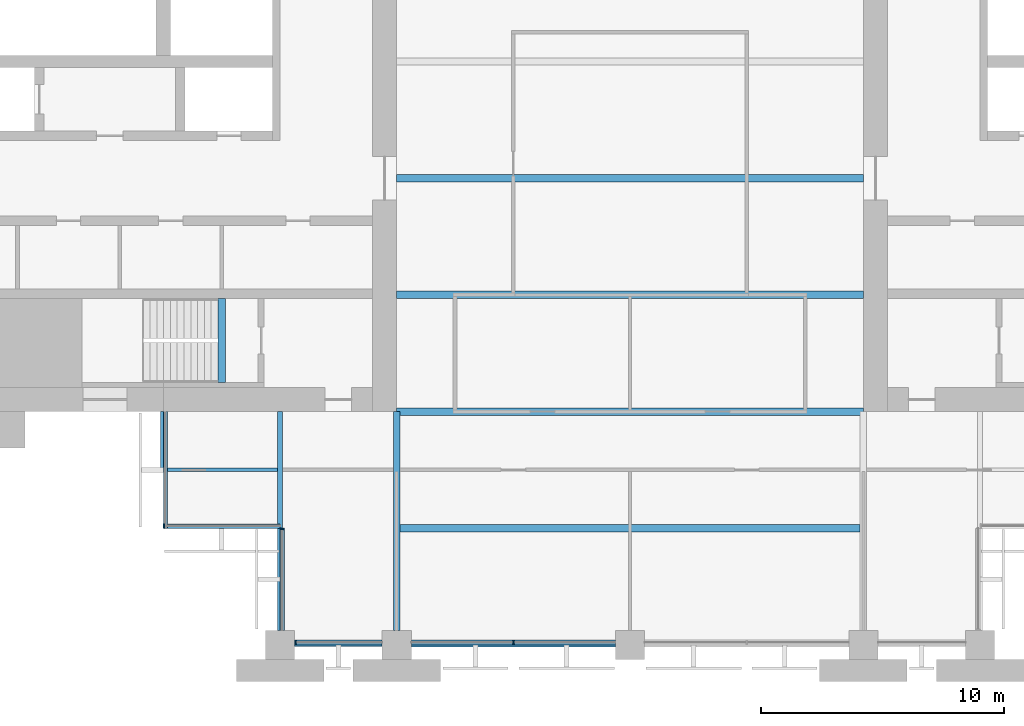
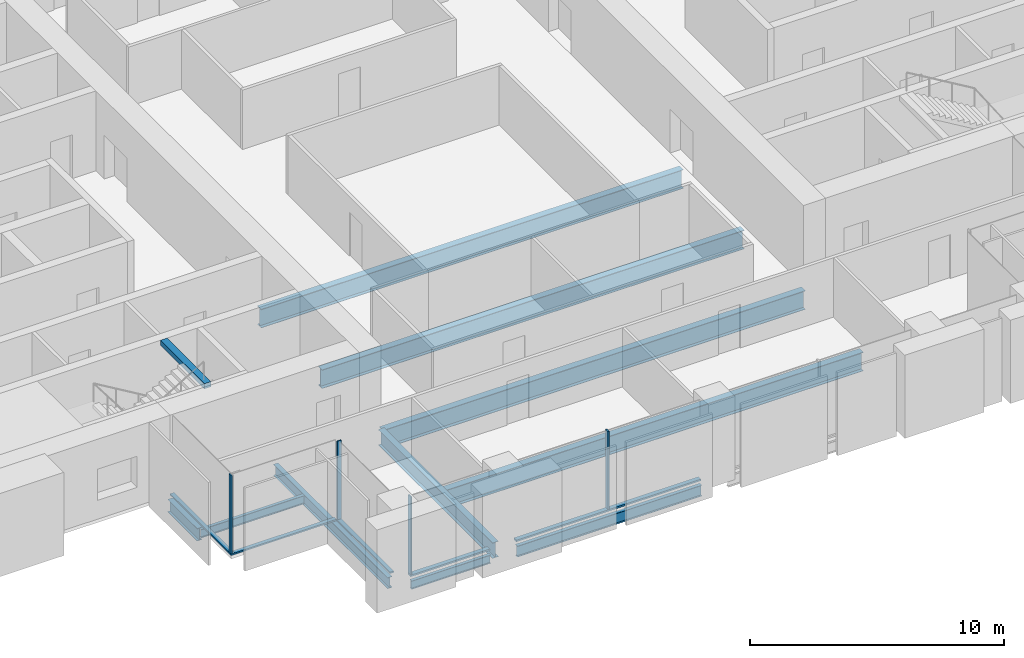
# One storey, part 2 of 14: 11 beams, 9 members, 4 elements without a shape of their own.
"""IFC4 building model written with IfcOpenShell, lengths in metres."""

from ifc_helpers import new_model, si_unit, direction, frame, origin, origin_2d, place, context, subcontext, project, spatial, rectangle, i_section, extrude, material, material_profile, profile_set, type_object, element, aggregate, save


model = new_model("IFC4")

# Units and contexts
model_context = context("Model", 3, precision=1e-05, world=origin(), true_north=direction((0.0, 1.0)))
body_context = subcontext(model_context, "Body", "Model", "MODEL_VIEW")
ifc_project = project(units=[si_unit("LENGTHUNIT", "METRE"), si_unit("AREAUNIT", "SQUARE_METRE"), si_unit("VOLUMEUNIT", "CUBIC_METRE"), si_unit("PLANEANGLEUNIT", "RADIAN"), si_unit("MASSUNIT", "GRAM", prefix="KILO")], contexts=[model_context])

# Site, building, storey
site_placement = place(None, origin())
site = spatial("IfcSite", under=ifc_project, at=site_placement, CompositionType="ELEMENT")
building_placement = place(site_placement, origin())
building = spatial("IfcBuilding", under=site, at=building_placement, Name="Baori Bourse Tower", CompositionType="ELEMENT")
storey_placement = place(building_placement, frame((0.0, 0.0, 136.10009765625)))
storey = spatial("IfcBuildingStorey", under=building, at=storey_placement, Name="L29", CompositionType="ELEMENT", Elevation=136.10009765625)

# Curtain wall, members
ifc_material_1 = material(Name="Pale anodised aluminium", Category="aluminium")
curtain_wall_type_1 = type_object("IfcCurtainWallType", Name="CW1 Curtain wall", PredefinedType="NOTDEFINED", material=ifc_material_1)
curtain_wall_1_placement = place(storey_placement, origin())
curtain_wall_1 = element("IfcCurtainWall", 1, at=curtain_wall_1_placement, inside=storey, type_object=curtain_wall_type_1, Name="Curtain wall CW1 L29 11", PredefinedType="NOTDEFINED")
ifc_material_2 = material(Name="Pale anodised aluminium", Category="aluminium")
ifc_material_profile_1 = material_profile(ifc_material_2, rectangle(XDim=0.199951171875, YDim=0.06005859375, at=origin_2d()), Name="Mullion 60x200")
ifc_profile_set_1 = profile_set([ifc_material_profile_1], Name="Pale anodised aluminium")
member_type_1 = type_object("IfcMemberType", Name="CW1 Curtain wall mullion", PredefinedType="MULLION", material=ifc_profile_set_1)
member_1_placement = place(storey_placement, frame((15.030029296875, 0.10009765625, 0.079833984375), z_axis=(0.0, 0.0, 1.0), x_axis=(0.0, 1.0, 0.0)))
member_1 = element("IfcMember", 2, at=member_1_placement, type_object=member_type_1, Name="Curtain wall CW1 mullion", PredefinedType="MULLION", context=body_context, shape_type="SweptSolid", body=[
    extrude(rectangle(XDim=0.199951171875, YDim=0.06005859375, at=origin_2d()), origin(), (0.0, 0.0, 1.0), 3.760009765625),
])
member_2_placement = place(storey_placement, frame((24.0, 0.10009765625, 0.079833984375), z_axis=(0.0, 0.0, 1.0), x_axis=(0.0, 1.0, 0.0)))
member_2 = element("IfcMember", 3, at=member_2_placement, type_object=member_type_1, Name="Curtain wall CW1 mullion", PredefinedType="MULLION", context=body_context, shape_type="SweptSolid", body=[
    extrude(rectangle(XDim=0.199951171875, YDim=0.06005859375, at=origin_2d()), origin(), (0.0, 0.0, 1.0), 3.760009765625),
])
ifc_material_3 = material(Name="Pale anodised aluminium", Category="aluminium")
ifc_material_profile_2 = material_profile(ifc_material_3, rectangle(XDim=0.199951171875, YDim=0.080078125, at=origin_2d()), Name="Transom 80x200")
ifc_profile_set_2 = profile_set([ifc_material_profile_2], Name="Pale anodised aluminium")
member_type_2 = type_object("IfcMemberType", Name="CW1 Curtain wall transom", PredefinedType="USERDEFINED", material=ifc_profile_set_2)
member_3_placement = place(storey_placement, frame((15.0, 0.10009765625, 0.039794921875), z_axis=(1.0, 0.0, 0.0), x_axis=(0.0, 1.0, 0.0)))
member_3 = element("IfcMember", 4, at=member_3_placement, type_object=member_type_2, Name="Curtain wall CW1 sill rail", ObjectType="TRANSOM", PredefinedType="USERDEFINED", context=body_context, shape_type="SweptSolid", body=[
    extrude(rectangle(XDim=0.199951171875, YDim=0.080078125, at=origin_2d()), origin(), (0.0, 0.0, 1.0), 3.60009765625),
])
member_4_placement = place(storey_placement, frame((19.800048828125, 0.10009765625, 0.039794921875), z_axis=(1.0, 0.0, 0.0), x_axis=(0.0, 1.0, 0.0)))
member_4 = element("IfcMember", 5, at=member_4_placement, type_object=member_type_2, Name="Curtain wall CW1 sill rail", ObjectType="TRANSOM", PredefinedType="USERDEFINED", context=body_context, shape_type="SweptSolid", body=[
    extrude(rectangle(XDim=0.199951171875, YDim=0.080078125, at=origin_2d()), origin(), (0.0, 0.0, 1.0), 8.39990234375),
])
aggregate(curtain_wall_1, [member_3, member_1, member_4, member_2])

# Curtain wall, member
ifc_material_4 = material(Name="Pale anodised aluminium", Category="aluminium")
curtain_wall_type_2 = type_object("IfcCurtainWallType", Name="CW2 Curtain wall", PredefinedType="NOTDEFINED", material=ifc_material_4)
curtain_wall_2_placement = place(storey_placement, origin())
curtain_wall_2 = element("IfcCurtainWall", 6, at=curtain_wall_2_placement, inside=storey, type_object=curtain_wall_type_2, Name="Curtain wall CW2 L29 9", PredefinedType="NOTDEFINED")
ifc_material_5 = material(Name="Pale anodised aluminium", Category="aluminium")
ifc_material_profile_3 = material_profile(ifc_material_5, rectangle(XDim=0.179931640625, YDim=0.054931640625, at=origin_2d()), Name="Mullion 55x180")
ifc_profile_set_3 = profile_set([ifc_material_profile_3], Name="Pale anodised aluminium")
member_type_3 = type_object("IfcMemberType", Name="CW2 Curtain wall mullion", PredefinedType="MULLION", material=ifc_profile_set_3)
member_5_placement = place(storey_placement, frame((9.62744140625, 4.889892578125, 0.06982421875), z_axis=(0.0, 0.0, 1.0), x_axis=(0.0, 1.0, 0.0)))
member_5 = element("IfcMember", 7, at=member_5_placement, type_object=member_type_3, Name="Curtain wall CW2 mullion", PredefinedType="MULLION", context=body_context, shape_type="SweptSolid", body=[
    extrude(rectangle(XDim=0.179931640625, YDim=0.054931640625, at=origin_2d()), origin(), (0.0, 0.0, 1.0), 3.77001953125),
])

curtain_wall_3_placement = place(storey_placement, origin())
curtain_wall_3 = element("IfcCurtainWall", 8, at=curtain_wall_3_placement, inside=storey, type_object=curtain_wall_type_2, Name="Curtain wall CW2 L29 10", PredefinedType="NOTDEFINED")
member_6_placement = place(storey_placement, frame((14.489990234375, 4.7724609375, 0.06982421875), z_axis=(0.0, 0.0, 1.0), x_axis=(1.0, 0.0, 0.0)))
member_6 = element("IfcMember", 9, at=member_6_placement, type_object=member_type_3, Name="Curtain wall CW2 mullion", PredefinedType="MULLION", context=body_context, shape_type="SweptSolid", body=[
    extrude(rectangle(XDim=0.179931640625, YDim=0.054931640625, at=origin_2d()), origin(), (0.0, 0.0, 1.0), 3.77001953125),
])

curtain_wall_4_placement = place(storey_placement, origin())
curtain_wall_4 = element("IfcCurtainWall", 10, at=curtain_wall_4_placement, inside=storey, type_object=curtain_wall_type_2, Name="Curtain wall CW2 L29 8", PredefinedType="NOTDEFINED")
ifc_material_6 = material(Name="Pale anodised aluminium", Category="aluminium")
ifc_material_profile_4 = material_profile(ifc_material_6, rectangle(XDim=0.179931640625, YDim=0.070068359375, at=origin_2d()), Name="Transom 70x180")
ifc_profile_set_4 = profile_set([ifc_material_profile_4], Name="Pale anodised aluminium")
member_type_4 = type_object("IfcMemberType", Name="CW2 Curtain wall transom", PredefinedType="USERDEFINED", material=ifc_profile_set_4)
member_7_placement = place(storey_placement, frame((9.68994140625, 9.60009765625, 0.034912109375), z_axis=(0.0, -1.0, 0.0), x_axis=(1.0, 0.0, 0.0)))
member_7 = element("IfcMember", 11, at=member_7_placement, type_object=member_type_4, Name="Curtain wall CW2 sill rail", ObjectType="TRANSOM", PredefinedType="USERDEFINED", context=body_context, shape_type="SweptSolid", body=[
    extrude(rectangle(XDim=0.179931640625, YDim=0.070068359375, at=origin_2d()), origin(), (0.0, 0.0, 1.0), 4.800048828125),
])
aggregate(curtain_wall_4, [member_7])

# Member
member_8_placement = place(storey_placement, frame((9.60009765625, 4.889892578125, 0.034912109375), z_axis=(1.0, 0.0, 0.0), x_axis=(0.0, 1.0, 0.0)))
member_8 = element("IfcMember", 12, at=member_8_placement, type_object=member_type_4, Name="Curtain wall CW2 sill rail", ObjectType="TRANSOM", PredefinedType="USERDEFINED", context=body_context, shape_type="SweptSolid", body=[
    extrude(rectangle(XDim=0.179931640625, YDim=0.070068359375, at=origin_2d()), origin(), (0.0, 0.0, 1.0), 4.7998046875),
])

aggregate(curtain_wall_2, [member_8, member_5])

member_9_placement = place(storey_placement, frame((14.489990234375, 4.800048828125, 0.034912109375), z_axis=(0.0, -1.0, 0.0), x_axis=(1.0, 0.0, 0.0)))
member_9 = element("IfcMember", 13, at=member_9_placement, type_object=member_type_4, Name="Curtain wall CW2 sill rail", ObjectType="TRANSOM", PredefinedType="USERDEFINED", context=body_context, shape_type="SweptSolid", body=[
    extrude(rectangle(XDim=0.179931640625, YDim=0.070068359375, at=origin_2d()), origin(), (0.0, 0.0, 1.0), 4.199951171875),
])

aggregate(curtain_wall_3, [member_9, member_6])

# Beams
ifc_material_7 = material(Name="Steel A992 Gr 50", Category="steel")
ifc_material_profile_5 = material_profile(ifc_material_7, i_section(OverallWidth=0.227783203125, OverallDepth=0.60205078125, WebThickness=0.010498046875, FlangeThickness=0.014892578125, at=origin_2d()), Name="W24x68")
ifc_profile_set_5 = profile_set([ifc_material_profile_5], Name="Steel A992 Gr 50")
beam_type_1 = type_object("IfcBeamType", Name="Core bracket W24x68", PredefinedType="BEAM", material=ifc_profile_set_5)
beam_1_placement = place(storey_placement, frame((9.60009765625, 7.270263671875, -0.461181640625), z_axis=(0.0, 1.0, 0.0), x_axis=(-1.0, 0.0, 0.0)))
element("IfcBeam", 14, at=beam_1_placement, inside=storey, type_object=beam_type_1, Name="Core bracket L29", PredefinedType="BEAM", context=body_context, shape_type="SweptSolid", body=[
    extrude(i_section(OverallWidth=0.227783203125, OverallDepth=0.60205078125, WebThickness=0.010498046875, FlangeThickness=0.014892578125, at=origin_2d()), origin(), (0.0, 0.0, 1.0), 2.329833984375),
])
ifc_material_8 = material(Name="Steel A992 Gr 50", Category="steel")
ifc_material_profile_6 = material_profile(ifc_material_8, i_section(OverallWidth=0.140380859375, OverallDepth=0.40380859375, WebThickness=0.007080078125, FlangeThickness=0.01123046875, at=origin_2d()), Name="W16x31")
ifc_profile_set_6 = profile_set([ifc_material_profile_6], Name="Steel A992 Gr 50")
beam_type_2 = type_object("IfcBeamType", Name="Edge beam W16x31", PredefinedType="BEAM", material=ifc_profile_set_6)
beam_2_placement = place(storey_placement, frame((15.0, 0.0, -0.362060546875), z_axis=(1.0, 0.0, 0.0), x_axis=(0.0, 1.0, 0.0)))
element("IfcBeam", 15, at=beam_2_placement, inside=storey, type_object=beam_type_2, Name="Edge beam L29", PredefinedType="BEAM", context=body_context, shape_type="SweptSolid", body=[
    extrude(i_section(OverallWidth=0.140380859375, OverallDepth=0.40380859375, WebThickness=0.007080078125, FlangeThickness=0.01123046875, at=origin_2d()), origin(), (0.0, 0.0, 1.0), 3.60009765625),
])
ifc_material_9 = material(Name="Steel A992 Gr 50", Category="steel")
ifc_material_profile_7 = material_profile(ifc_material_9, i_section(OverallWidth=0.1650390625, OverallDepth=0.52587890625, WebThickness=0.0087890625, FlangeThickness=0.011474609375, at=origin_2d()), Name="W21x44")
ifc_profile_set_7 = profile_set([ifc_material_profile_7], Name="Steel A992 Gr 50")
beam_type_3 = type_object("IfcBeamType", Name="Edge beam W21x44", PredefinedType="BEAM", material=ifc_profile_set_7)
beam_3_placement = place(storey_placement, frame((19.800048828125, 0.0, -0.423095703125), z_axis=(1.0, 0.0, 0.0), x_axis=(0.0, 1.0, 0.0)))
element("IfcBeam", 16, at=beam_3_placement, inside=storey, type_object=beam_type_3, Name="Edge beam L29", PredefinedType="BEAM", context=body_context, shape_type="SweptSolid", body=[
    extrude(i_section(OverallWidth=0.1650390625, OverallDepth=0.52587890625, WebThickness=0.0087890625, FlangeThickness=0.011474609375, at=origin_2d()), origin(), (0.0, 0.0, 1.0), 8.39990234375),
])
ifc_material_10 = material(Name="Steel A992 Gr 50", Category="steel")
ifc_material_profile_8 = material_profile(ifc_material_10, i_section(OverallWidth=0.209228515625, OverallDepth=0.533447265625, WebThickness=0.01025390625, FlangeThickness=0.015625, at=origin_2d()), Name="W21x62")
ifc_profile_set_8 = profile_set([ifc_material_profile_8], Name="Steel A992 Gr 50")
beam_type_4 = type_object("IfcBeamType", Name="Floor beam W21x62", PredefinedType="BEAM", material=ifc_profile_set_8)
beam_4_placement = place(storey_placement, frame((14.39990234375, 0.60009765625, -0.4267578125), z_axis=(0.0, 1.0, 0.0), x_axis=(-1.0, 0.0, 0.0)))
element("IfcBeam", 17, at=beam_4_placement, inside=storey, type_object=beam_type_4, Name="Floor beam L29", PredefinedType="BEAM", context=body_context, shape_type="SweptSolid", body=[
    extrude(i_section(OverallWidth=0.209228515625, OverallDepth=0.533447265625, WebThickness=0.01025390625, FlangeThickness=0.015625, at=origin_2d()), origin(), (0.0, 0.0, 1.0), 9.0),
])
ifc_material_11 = material(Name="Steel A992 Gr 50", Category="steel")
ifc_material_profile_9 = material_profile(ifc_material_11, i_section(OverallWidth=0.3046875, OverallDepth=0.904296875, WebThickness=0.01513671875, FlangeThickness=0.02001953125, at=origin_2d()), Name="W36x135")
ifc_profile_set_9 = profile_set([ifc_material_profile_9], Name="Steel A992 Gr 50")
beam_type_5 = type_object("IfcBeamType", Name="Floor beam W36x135", PredefinedType="BEAM", material=ifc_profile_set_9)
beam_5_placement = place(storey_placement, frame((19.33203125, 4.800048828125, -0.6123046875), z_axis=(1.0, 0.0, 0.0), x_axis=(0.0, 1.0, 0.0)))
element("IfcBeam", 18, at=beam_5_placement, inside=storey, type_object=beam_type_5, Name="Floor beam L29", PredefinedType="BEAM", context=body_context, shape_type="SweptSolid", body=[
    extrude(i_section(OverallWidth=0.3046875, OverallDepth=0.904296875, WebThickness=0.01513671875, FlangeThickness=0.02001953125, at=origin_2d()), origin(), (0.0, 0.0, 1.0), 18.935791015625),
])
for number, where, z_axis, x_axis, name in (
    (19, (19.199951171875, 9.60009765625, -0.6123046875), (1.0, 0.0, 0.0), (0.0, 1.0, 0.0), "Floor beam L29"),
    (20, (19.199951171875, 14.39990234375, -0.6123046875), (1.0, 0.0, 0.0), (0.0, 1.0, 0.0), "Floor beam L29"),
    (21, (19.199951171875, 19.199951171875, -0.6123046875), (1.0, 0.0, 0.0), (0.0, 1.0, 0.0), "Floor beam L29"),
):
    element("IfcBeam", number, at=place(storey_placement, frame(where, z_axis=z_axis, x_axis=x_axis)), inside=storey, type_object=beam_type_5, Name=name, PredefinedType="BEAM", context=body_context, shape_type="SweptSolid", body=[
        extrude(i_section(OverallWidth=0.3046875, OverallDepth=0.904296875, WebThickness=0.01513671875, FlangeThickness=0.02001953125, at=origin_2d()), origin(), (0.0, 0.0, 1.0), 19.199951171875),
    ])
ifc_material_12 = material(Name="Steel A992 Gr 50", Category="steel")
ifc_material_profile_10 = material_profile(ifc_material_12, i_section(OverallWidth=0.26416015625, OverallDepth=0.749267578125, WebThickness=0.011962890625, FlangeThickness=0.015380859375, at=origin_2d()), Name="W30x90")
ifc_profile_set_10 = profile_set([ifc_material_profile_10], Name="Steel A992 Gr 50")
beam_type_6 = type_object("IfcBeamType", Name="Girder W30x90", PredefinedType="BEAM", material=ifc_profile_set_10)
beam_6_placement = place(storey_placement, frame((19.199951171875, 0.60009765625, -0.53466796875), z_axis=(0.0, 1.0, 0.0), x_axis=(-1.0, 0.0, 0.0)))
element("IfcBeam", 22, at=beam_6_placement, inside=storey, type_object=beam_type_6, Name="Girder L29", PredefinedType="BEAM", context=body_context, shape_type="SweptSolid", body=[
    extrude(i_section(OverallWidth=0.26416015625, OverallDepth=0.749267578125, WebThickness=0.011962890625, FlangeThickness=0.015380859375, at=origin_2d()), origin(), (0.0, 0.0, 1.0), 9.0),
])
ifc_material_13 = material(Name="Concrete f'c 50 MPa", Category="concrete")
ifc_material_profile_11 = material_profile(ifc_material_13, rectangle(XDim=0.300048828125, YDim=0.25, at=origin_2d()), Name="RC 300x250")
ifc_profile_set_11 = profile_set([ifc_material_profile_11], Name="Concrete f'c 50 MPa")
beam_type_7 = type_object("IfcBeamType", Name="Stair nib beam RC 300x250", PredefinedType="BEAM", material=ifc_profile_set_11)
beam_7_placement = place(storey_placement, frame((12.0, 10.800048828125, 3.71484375), z_axis=(0.0, 1.0, 0.0), x_axis=(-1.0, 0.0, 0.0)))
element("IfcBeam", 23, at=beam_7_placement, inside=storey, type_object=beam_type_7, Name="Stair WA nib beam L30", PredefinedType="BEAM", context=body_context, shape_type="SweptSolid", body=[
    extrude(rectangle(XDim=0.300048828125, YDim=0.25, at=origin_2d()), origin(), (0.0, 0.0, 1.0), 3.449951171875),
])
ifc_material_14 = material(Name="Steel A992 Gr 50", Category="steel")
ifc_material_profile_12 = material_profile(ifc_material_14, i_section(OverallWidth=0.140380859375, OverallDepth=0.40380859375, WebThickness=0.007080078125, FlangeThickness=0.01123046875, at=origin_2d()), Name="W16x31")
ifc_profile_set_12 = profile_set([ifc_material_profile_12], Name="Steel A992 Gr 50")
beam_type_8 = type_object("IfcBeamType", Name="Trimmer beam W16x31", PredefinedType="BEAM", material=ifc_profile_set_12)
beam_8_placement = place(storey_placement, frame((9.60009765625, 7.199951171875, -0.362060546875), z_axis=(1.0, 0.0, 0.0), x_axis=(0.0, 1.0, 0.0)))
element("IfcBeam", 24, at=beam_8_placement, inside=storey, type_object=beam_type_8, Name="Trimmer beam L29", PredefinedType="BEAM", context=body_context, shape_type="SweptSolid", body=[
    extrude(i_section(OverallWidth=0.140380859375, OverallDepth=0.40380859375, WebThickness=0.007080078125, FlangeThickness=0.01123046875, at=origin_2d()), origin(), (0.0, 0.0, 1.0), 4.6953125),
])

save(model, "model.ifc")
